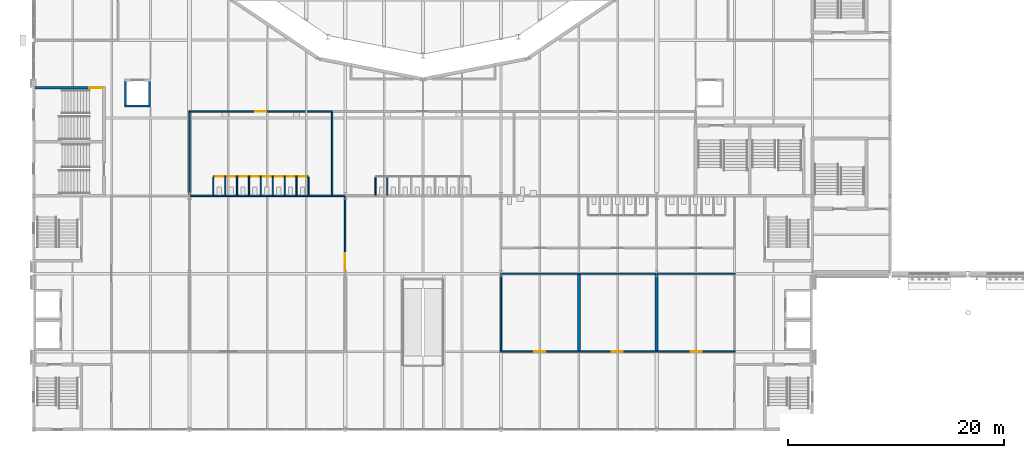
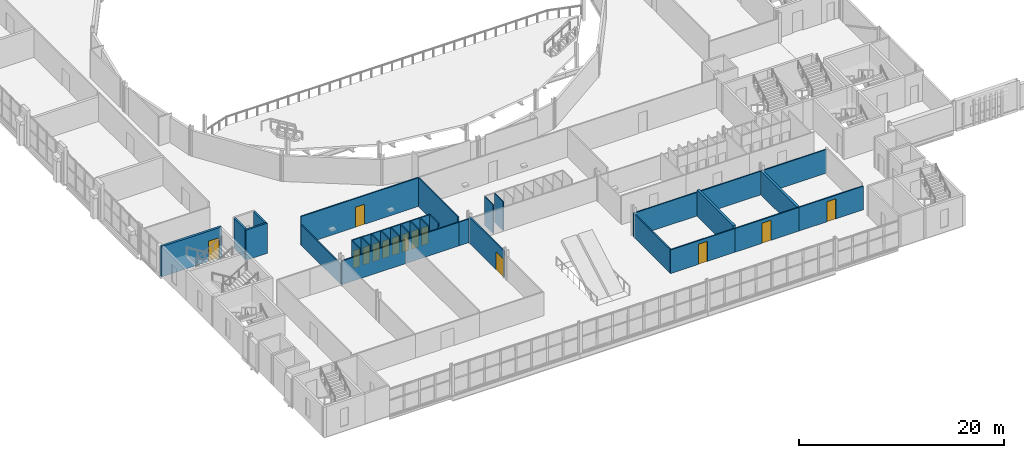
# One storey, part 64 of 124: 39 walls, 14 doors, 14 openings.
"""IFC4 building model written with IfcOpenShell, lengths in metres."""

import ifcopenshell
import ifcopenshell.guid

model = None  # the IFC model being written
_history = None  # IfcOwnerHistory: only IFC2X3 demands one
_inside = {}  # id of a spatial element -> (the spatial element, [elements in it])
_under = {}  # id of a project, library or spatial element -> (it, [spatial elements below it])
_declared = {}  # id of a project -> (the project, [libraries it declares])
_typed = {}  # id of a type object -> (the type object, [elements of that type])
_made_of = {}  # id of a material, layer set ... -> (it, [elements and type objects made of it])


def new_model(schema):
    """Start an empty IFC model of exactly this schema.

    Asked for "IFC4X3", IfcOpenShell would pick the latest addendum, in which some entities
    have other attributes; the version numbers below select the first issue.
    IFC2X3 requires an IfcOwnerHistory on every rooted entity: one is made here for all.
    """
    global model, _history
    if schema == "IFC4X3":
        model = ifcopenshell.file(schema_version=(4, 3, 0, 0))
    else:
        model = ifcopenshell.file(schema=schema)
    _inside.clear()
    _under.clear()
    _declared.clear()
    _typed.clear()
    _made_of.clear()
    _history = None
    if model.schema == "IFC2X3":
        org = make("IfcOrganization", Name="unknown")
        user = make(
            "IfcPersonAndOrganization",
            ThePerson=make("IfcPerson", FamilyName="unknown"),
            TheOrganization=org,
        )
        app = make(
            "IfcApplication",
            ApplicationDeveloper=org,
            Version="unknown",
            ApplicationFullName="unknown",
            ApplicationIdentifier="unknown",
        )
        _history = make(
            "IfcOwnerHistory",
            OwningUser=user,
            OwningApplication=app,
            ChangeAction="ADDED",
            CreationDate=0,
        )
    return model


def make(cls, **values):
    """One entity of the class cls with the attributes given. An attribute that is None is left unset."""
    return model.create_entity(
        cls, **{name: value for name, value in values.items() if value is not None}
    )


def rooted(cls, **values):
    """An entity with a GlobalId (a new one), such as an element, a storey or a relation."""
    return make(cls, GlobalId=ifcopenshell.guid.new(), OwnerHistory=_history, **values)


def si_unit(unit_type, name, prefix=None):
    """IfcSIUnit, for example si_unit("LENGTHUNIT", "METRE", prefix="MILLI")."""
    return make("IfcSIUnit", UnitType=unit_type, Prefix=prefix, Name=name)


def assignment(units):
    """IfcUnitAssignment: the units of a project."""
    return None if units is None else make("IfcUnitAssignment", Units=units)


def point(xyz):
    """IfcCartesianPoint."""
    return None if xyz is None else make("IfcCartesianPoint", Coordinates=xyz)


def direction(xyz):
    """IfcDirection."""
    return None if xyz is None else make("IfcDirection", DirectionRatios=xyz)


def frame(location, z_axis=None, x_axis=None):
    """IfcAxis2Placement3D, a coordinate frame: its origin and axes. An axis left out is left unset."""
    return make(
        "IfcAxis2Placement3D",
        Location=point(location),
        Axis=direction(z_axis),
        RefDirection=direction(x_axis),
    )


def frame_2d(location, x_axis=None):
    """IfcAxis2Placement2D, a coordinate frame in the plane: its origin and x axis."""
    return make(
        "IfcAxis2Placement2D", Location=point(location), RefDirection=direction(x_axis)
    )


def origin():
    """The frame at (0, 0, 0) with its axes left unset."""
    return frame((0.0, 0.0, 0.0))


def place(relative_to, where):
    """IfcLocalPlacement: puts the frame where relative to a parent placement (None: the world)."""
    return make(
        "IfcLocalPlacement", PlacementRelTo=relative_to, RelativePlacement=where
    )


def context(
    kind, dimensions, precision=None, world=None, true_north=None, identifier=None
):
    """IfcGeometricRepresentationContext, for example the 3D "Model" context."""
    return make(
        "IfcGeometricRepresentationContext",
        ContextIdentifier=identifier,
        ContextType=kind,
        CoordinateSpaceDimension=dimensions,
        Precision=precision,
        WorldCoordinateSystem=world,
        TrueNorth=true_north,
    )


def subcontext(parent, identifier, kind, view, scale=None):
    """IfcGeometricRepresentationSubContext, for example "Body" below "Model"."""
    return make(
        "IfcGeometricRepresentationSubContext",
        ContextIdentifier=identifier,
        ContextType=kind,
        ParentContext=parent,
        TargetScale=scale,
        TargetView=view,
    )


def project(units=None, contexts=None):
    """IfcProject with its units and contexts."""
    return rooted(
        "IfcProject",
        Name="project",
        RepresentationContexts=contexts,
        UnitsInContext=assignment(units),
    )


def spatial(cls, under=None, at=None, **own):
    """A site, building, storey or space (cls), placed at a placement, below another one or the project."""
    s = rooted(cls, ObjectPlacement=at, **own)
    if under is not None:
        _under.setdefault(under.id(), (under, []))[1].append(s)
    return s


def profile(cls, at=None, kind="AREA", **sizes):
    """A parametric profile (cls). Its sizes go by their IFC names, for example OverallWidth=200.0."""
    return make(cls, ProfileType=kind, Position=at, **sizes)


def rectangle(**sizes):
    """IfcRectangleProfileDef."""
    return profile("IfcRectangleProfileDef", **sizes)


def extrude(swept, where, along, depth):
    """IfcExtrudedAreaSolid: the profile swept, set in the frame where, extruded along a direction by depth."""
    return make(
        "IfcExtrudedAreaSolid",
        SweptArea=swept,
        Position=where,
        ExtrudedDirection=direction(along),
        Depth=depth,
    )


def shape(context_of_items, identifier, shape_type, items):
    """IfcShapeRepresentation: the items that make up one representation, for example the "Body"."""
    return make(
        "IfcShapeRepresentation",
        ContextOfItems=context_of_items,
        RepresentationIdentifier=identifier,
        RepresentationType=shape_type,
        Items=items,
    )


def material(Name=None, Category=None):
    """IfcMaterial."""
    return make("IfcMaterial", Name=Name, Category=Category)


def layer(
    of_material, thickness, ventilated=None, Name=None, Category=None, Priority=None
):
    """IfcMaterialLayer: one layer of a wall or slab, of a material (None: an air gap)."""
    return make(
        "IfcMaterialLayer",
        Material=of_material,
        LayerThickness=thickness,
        IsVentilated=ventilated,
        Name=Name,
        Category=Category,
        Priority=Priority,
    )


def layer_set(layers, Name=None):
    """IfcMaterialLayerSet."""
    return make("IfcMaterialLayerSet", MaterialLayers=layers, LayerSetName=Name)


def made_of(thing, what):
    """Note that an element or type object is made of a material, layer set ...; save() writes the relation."""
    if what is not None:
        _made_of.setdefault(what.id(), (what, []))[1].append(thing)
    return thing


def type_object(cls, material=None, **own):
    """A type object (cls), such as IfcWallType, which elements share."""
    return made_of(rooted(cls, **own), material)


def element(
    cls,
    number,
    at=None,
    inside=None,
    cuts=None,
    type_object=None,
    material=None,
    context=None,
    identifier="Body",
    shape_type=None,
    held_by="IfcProductDefinitionShape",
    body=None,
    shapes=None,
    **own,
):
    """One element of the class cls, such as IfcWall. Its Tag is "e" and its number.

    at: its placement. inside: the storey or other place that contains it. cuts: it is an
    opening in that element (IfcRelVoidsElement). A single representation is given by context,
    identifier, shape_type and body (its items); several are given by shapes. held_by: the class
    of the entity that holds the representations. save() writes the other relations.
    """
    e = rooted(cls, Tag="e%d" % number, ObjectPlacement=at, **own)
    if body is not None:
        shapes = [shape(context, identifier, shape_type, body)]
    if shapes is not None:
        e.Representation = make(held_by, Representations=shapes)
    if inside is not None:
        _inside.setdefault(inside.id(), (inside, []))[1].append(e)
    if cuts is not None:
        rooted(
            "IfcRelVoidsElement", RelatingBuildingElement=cuts, RelatedOpeningElement=e
        )
    if type_object is not None:
        _typed.setdefault(type_object.id(), (type_object, []))[1].append(e)
    return made_of(e, material)


def fill(opening, filler):
    """IfcRelFillsElement: the door or window that sits in an opening."""
    return rooted(
        "IfcRelFillsElement",
        RelatingOpeningElement=opening,
        RelatedBuildingElement=filler,
    )


def aggregate(whole, parts):
    """IfcRelAggregates: a whole, such as a stair, and the parts it consists of."""
    return rooted("IfcRelAggregates", RelatingObject=whole, RelatedObjects=parts)


def save(model, path):
    """Write the relations noted so far, then the file.

    IfcRelAggregates (storeys below a building ...), IfcRelContainedInSpatialStructure (elements
    in a storey), IfcRelDefinesByType, IfcRelAssociatesMaterial and IfcRelDeclares: one each for
    every whole, place, type object, material and project.
    """
    for whole, parts in _under.values():
        aggregate(whole, parts)
    for where, things in _inside.values():
        rooted(
            "IfcRelContainedInSpatialStructure",
            RelatedElements=things,
            RelatingStructure=where,
        )
    for kind, things in _typed.values():
        rooted("IfcRelDefinesByType", RelatedObjects=things, RelatingType=kind)
    for what, things in _made_of.values():
        rooted("IfcRelAssociatesMaterial", RelatedObjects=things, RelatingMaterial=what)
    for by, libraries in _declared.values():
        rooted("IfcRelDeclares", RelatingContext=by, RelatedDefinitions=libraries)
    model.write(path)


model = new_model("IFC4")

# Units and contexts
model_context = context("Model", 3, precision=1e-05, world=origin(), true_north=direction((0.0, 1.0)))
body_context = subcontext(model_context, "Body", "Model", "MODEL_VIEW")
ifc_project = project(units=[si_unit("LENGTHUNIT", "METRE"), si_unit("AREAUNIT", "SQUARE_METRE"), si_unit("VOLUMEUNIT", "CUBIC_METRE"), si_unit("PLANEANGLEUNIT", "RADIAN"), si_unit("MASSUNIT", "GRAM", prefix="KILO")], contexts=[model_context])

# Site, building, storey
site_placement = place(None, origin())
site = spatial("IfcSite", under=ifc_project, at=site_placement, CompositionType="ELEMENT")
building_placement = place(site_placement, origin())
building = spatial("IfcBuilding", under=site, at=building_placement, Name="Kupolbacken Congress Centre", CompositionType="ELEMENT")
storey_placement = place(building_placement, frame((0.0, 0.0, 10.800048828125)))
storey = spatial("IfcBuildingStorey", under=building, at=storey_placement, Name="L03", CompositionType="ELEMENT", Elevation=10.800048828125)

# Wall, opening, door
ifc_material_1 = material(Name="Gypsum board", Category="drywall")
ifc_layer_1 = layer(ifc_material_1, 0.114990234375)
ifc_layer_set_1 = layer_set([ifc_layer_1], Name="Gypsum board")
wall_type_1 = type_object("IfcWallType", Name="P04 partition 115", PredefinedType="PARTITIONING", material=ifc_layer_set_1)
wall_1_placement = place(storey_placement, frame((23.800048828125, 52.199951171875, 0.0), z_axis=(0.0, 0.0, 1.0), x_axis=(1.0, 0.0, 0.0)))
wall_1 = element("IfcWall", 1, at=wall_1_placement, inside=storey, type_object=wall_type_1, Name="PD/L03/P-31-13/cub01/F", PredefinedType="PARTITIONING", context=body_context, shape_type="SweptSolid", body=[
    extrude(rectangle(XDim=1.099853515625, YDim=0.114990234375, at=frame_2d((0.5498046875, 0.0))), origin(), (0.0, 0.0, 1.0), 3.419921875),
])
opening_1_placement = place(wall_1_placement, frame((0.14990234375, 0.0, 0.0)))
opening_1 = element("IfcOpeningElement", 2, at=opening_1_placement, cuts=wall_1, Name="Opening 3.WP79", PredefinedType="OPENING", context=body_context, shape_type="SweptSolid", body=[
    extrude(rectangle(XDim=0.800048828125, YDim=2.10009765625, at=frame_2d((0.39990234375, 1.050048828125))), frame((0.0, 0.0673828125, 0.0), z_axis=(0.0, -1.0, 0.0), x_axis=(1.0, 0.0, 0.0)), (0.0, 0.0, 1.0), 0.135009765625),
])
ifc_material_2 = material(Name="Timber door leaf", Category="wood")
door_type_1 = type_object("IfcDoorType", Name="D2 door 800x2100", OperationType="SINGLE_SWING_LEFT", PredefinedType="DOOR", material=ifc_material_2)
door_1_placement = place(opening_1_placement, origin())
door_1 = element("IfcDoor", 3, at=door_1_placement, inside=storey, type_object=door_type_1, Name="PD/L03/P-31-13/cub01/F/DC", OperationType="SINGLE_SWING_RIGHT", OverallHeight=2.10009765625, OverallWidth=0.800048828125, PredefinedType="DOOR", context=body_context, shape_type="SweptSolid", body=[
    extrude(rectangle(XDim=0.800048828125, YDim=2.10009765625, at=frame_2d((0.39990234375, 1.050048828125))), frame((0.0, 0.02490234375, 0.0), z_axis=(0.0, -1.0, 0.0), x_axis=(1.0, 0.0, 0.0)), (0.0, 0.0, 1.0), 0.050048828125),
])
fill(opening_1, door_1)

# Wall
wall_2_placement = place(storey_placement, frame((23.800048828125, 50.45751953125, 0.0), z_axis=(0.0, 0.0, 1.0), x_axis=(0.0, 1.0, 0.0)))
element("IfcWall", 4, at=wall_2_placement, inside=storey, type_object=wall_type_1, Name="PD/L03/P-31-13/cub01/a", PredefinedType="PARTITIONING", context=body_context, shape_type="SweptSolid", body=[
    extrude(rectangle(XDim=1.68505859375, YDim=0.114990234375, at=frame_2d((0.842529296875, 0.0))), origin(), (0.0, 0.0, 1.0), 3.419921875),
])

# Wall, opening, door
wall_3_placement = place(storey_placement, frame((24.89990234375, 52.199951171875, 0.0), z_axis=(0.0, 0.0, 1.0), x_axis=(1.0, 0.0, 0.0)))
wall_3 = element("IfcWall", 5, at=wall_3_placement, inside=storey, type_object=wall_type_1, Name="PD/L03/P-31-13/cub02/F", PredefinedType="PARTITIONING", context=body_context, shape_type="SweptSolid", body=[
    extrude(rectangle(XDim=1.10009765625, YDim=0.114990234375, at=frame_2d((0.550048828125, 0.0))), origin(), (0.0, 0.0, 1.0), 3.419921875),
])
opening_2_placement = place(wall_3_placement, frame((0.14990234375, 0.0, 0.0)))
opening_2 = element("IfcOpeningElement", 6, at=opening_2_placement, cuts=wall_3, Name="Opening 3.WP80", PredefinedType="OPENING", context=body_context, shape_type="SweptSolid", body=[
    extrude(rectangle(XDim=0.800048828125, YDim=2.10009765625, at=frame_2d((0.39990234375, 1.050048828125))), frame((0.0, 0.0673828125, 0.0), z_axis=(0.0, -1.0, 0.0), x_axis=(1.0, 0.0, 0.0)), (0.0, 0.0, 1.0), 0.135009765625),
])
door_2_placement = place(opening_2_placement, origin())
door_2 = element("IfcDoor", 7, at=door_2_placement, inside=storey, type_object=door_type_1, Name="PD/L03/P-31-13/cub02/F/DC", OperationType="SINGLE_SWING_RIGHT", OverallHeight=2.10009765625, OverallWidth=0.800048828125, PredefinedType="DOOR", context=body_context, shape_type="SweptSolid", body=[
    extrude(rectangle(XDim=0.800048828125, YDim=2.10009765625, at=frame_2d((0.39990234375, 1.050048828125))), frame((0.0, 0.02490234375, 0.0), z_axis=(0.0, -1.0, 0.0), x_axis=(1.0, 0.0, 0.0)), (0.0, 0.0, 1.0), 0.050048828125),
])
fill(opening_2, door_2)

# Wall
wall_4_placement = place(storey_placement, frame((24.89990234375, 50.45751953125, 0.0), z_axis=(0.0, 0.0, 1.0), x_axis=(0.0, 1.0, 0.0)))
element("IfcWall", 8, at=wall_4_placement, inside=storey, type_object=wall_type_1, Name="PD/L03/P-31-13/cub02/a", PredefinedType="PARTITIONING", context=body_context, shape_type="SweptSolid", body=[
    extrude(rectangle(XDim=1.68505859375, YDim=0.114990234375, at=frame_2d((0.842529296875, 0.0))), origin(), (0.0, 0.0, 1.0), 3.419921875),
])

# Wall, opening, door
wall_5_placement = place(storey_placement, frame((26.0, 52.199951171875, 0.0), z_axis=(0.0, 0.0, 1.0), x_axis=(1.0, 0.0, 0.0)))
wall_5 = element("IfcWall", 9, at=wall_5_placement, inside=storey, type_object=wall_type_1, Name="PD/L03/P-31-13/cub03/F", PredefinedType="PARTITIONING", context=body_context, shape_type="SweptSolid", body=[
    extrude(rectangle(XDim=1.10009765625, YDim=0.114990234375, at=frame_2d((0.550048828125, 0.0))), origin(), (0.0, 0.0, 1.0), 3.419921875),
])
opening_3_placement = place(wall_5_placement, frame((0.14990234375, 0.0, 0.0)))
opening_3 = element("IfcOpeningElement", 10, at=opening_3_placement, cuts=wall_5, Name="Opening 3.WP81", PredefinedType="OPENING", context=body_context, shape_type="SweptSolid", body=[
    extrude(rectangle(XDim=0.800048828125, YDim=2.10009765625, at=frame_2d((0.39990234375, 1.050048828125))), frame((0.0, 0.0673828125, 0.0), z_axis=(0.0, -1.0, 0.0), x_axis=(1.0, 0.0, 0.0)), (0.0, 0.0, 1.0), 0.135009765625),
])
door_3_placement = place(opening_3_placement, origin())
door_3 = element("IfcDoor", 11, at=door_3_placement, inside=storey, type_object=door_type_1, Name="PD/L03/P-31-13/cub03/F/DC", OperationType="SINGLE_SWING_LEFT", OverallHeight=2.10009765625, OverallWidth=0.800048828125, PredefinedType="DOOR", context=body_context, shape_type="SweptSolid", body=[
    extrude(rectangle(XDim=0.800048828125, YDim=2.10009765625, at=frame_2d((0.39990234375, 1.050048828125))), frame((0.0, 0.02490234375, 0.0), z_axis=(0.0, -1.0, 0.0), x_axis=(1.0, 0.0, 0.0)), (0.0, 0.0, 1.0), 0.050048828125),
])
fill(opening_3, door_3)

# Wall
wall_6_placement = place(storey_placement, frame((26.0, 50.45751953125, 0.0), z_axis=(0.0, 0.0, 1.0), x_axis=(0.0, 1.0, 0.0)))
element("IfcWall", 12, at=wall_6_placement, inside=storey, type_object=wall_type_1, Name="PD/L03/P-31-13/cub03/a", PredefinedType="PARTITIONING", context=body_context, shape_type="SweptSolid", body=[
    extrude(rectangle(XDim=1.68505859375, YDim=0.114990234375, at=frame_2d((0.842529296875, 0.0))), origin(), (0.0, 0.0, 1.0), 3.419921875),
])

# Wall, opening, door
wall_7_placement = place(storey_placement, frame((27.10009765625, 52.199951171875, 0.0), z_axis=(0.0, 0.0, 1.0), x_axis=(1.0, 0.0, 0.0)))
wall_7 = element("IfcWall", 13, at=wall_7_placement, inside=storey, type_object=wall_type_1, Name="PD/L03/P-31-13/cub04/F", PredefinedType="PARTITIONING", context=body_context, shape_type="SweptSolid", body=[
    extrude(rectangle(XDim=1.099853515625, YDim=0.114990234375, at=frame_2d((0.5498046875, 0.0))), origin(), (0.0, 0.0, 1.0), 3.419921875),
])
opening_4_placement = place(wall_7_placement, frame((0.14990234375, 0.0, 0.0)))
opening_4 = element("IfcOpeningElement", 14, at=opening_4_placement, cuts=wall_7, Name="Opening 3.WP82", PredefinedType="OPENING", context=body_context, shape_type="SweptSolid", body=[
    extrude(rectangle(XDim=0.800048828125, YDim=2.10009765625, at=frame_2d((0.39990234375, 1.050048828125))), frame((0.0, 0.0673828125, 0.0), z_axis=(0.0, -1.0, 0.0), x_axis=(1.0, 0.0, 0.0)), (0.0, 0.0, 1.0), 0.135009765625),
])
door_4_placement = place(opening_4_placement, origin())
door_4 = element("IfcDoor", 15, at=door_4_placement, inside=storey, type_object=door_type_1, Name="PD/L03/P-31-13/cub04/F/DC", OperationType="SINGLE_SWING_RIGHT", OverallHeight=2.10009765625, OverallWidth=0.800048828125, PredefinedType="DOOR", context=body_context, shape_type="SweptSolid", body=[
    extrude(rectangle(XDim=0.800048828125, YDim=2.10009765625, at=frame_2d((0.39990234375, 1.050048828125))), frame((0.0, 0.02490234375, 0.0), z_axis=(0.0, -1.0, 0.0), x_axis=(1.0, 0.0, 0.0)), (0.0, 0.0, 1.0), 0.050048828125),
])
fill(opening_4, door_4)

# Wall
wall_8_placement = place(storey_placement, frame((27.10009765625, 50.45751953125, 0.0), z_axis=(0.0, 0.0, 1.0), x_axis=(0.0, 1.0, 0.0)))
element("IfcWall", 16, at=wall_8_placement, inside=storey, type_object=wall_type_1, Name="PD/L03/P-31-13/cub04/a", PredefinedType="PARTITIONING", context=body_context, shape_type="SweptSolid", body=[
    extrude(rectangle(XDim=1.68505859375, YDim=0.114990234375, at=frame_2d((0.842529296875, 0.0))), origin(), (0.0, 0.0, 1.0), 3.419921875),
])

# Wall, opening, door
wall_9_placement = place(storey_placement, frame((28.199951171875, 52.199951171875, 0.0), z_axis=(0.0, 0.0, 1.0), x_axis=(1.0, 0.0, 0.0)))
wall_9 = element("IfcWall", 17, at=wall_9_placement, inside=storey, type_object=wall_type_1, Name="PD/L03/P-31-13/cub05/F", PredefinedType="PARTITIONING", context=body_context, shape_type="SweptSolid", body=[
    extrude(rectangle(XDim=1.10009765625, YDim=0.114990234375, at=frame_2d((0.550048828125, 0.0))), origin(), (0.0, 0.0, 1.0), 3.419921875),
])
opening_5_placement = place(wall_9_placement, frame((0.14990234375, 0.0, 0.0)))
opening_5 = element("IfcOpeningElement", 18, at=opening_5_placement, cuts=wall_9, Name="Opening 3.WP83", PredefinedType="OPENING", context=body_context, shape_type="SweptSolid", body=[
    extrude(rectangle(XDim=0.800048828125, YDim=2.10009765625, at=frame_2d((0.39990234375, 1.050048828125))), frame((0.0, 0.0673828125, 0.0), z_axis=(0.0, -1.0, 0.0), x_axis=(1.0, 0.0, 0.0)), (0.0, 0.0, 1.0), 0.135009765625),
])
door_5_placement = place(opening_5_placement, origin())
door_5 = element("IfcDoor", 19, at=door_5_placement, inside=storey, type_object=door_type_1, Name="PD/L03/P-31-13/cub05/F/DC", OperationType="SINGLE_SWING_LEFT", OverallHeight=2.10009765625, OverallWidth=0.800048828125, PredefinedType="DOOR", context=body_context, shape_type="SweptSolid", body=[
    extrude(rectangle(XDim=0.800048828125, YDim=2.10009765625, at=frame_2d((0.39990234375, 1.050048828125))), frame((0.0, 0.02490234375, 0.0), z_axis=(0.0, -1.0, 0.0), x_axis=(1.0, 0.0, 0.0)), (0.0, 0.0, 1.0), 0.050048828125),
])
fill(opening_5, door_5)

# Wall
wall_10_placement = place(storey_placement, frame((28.199951171875, 50.45751953125, 0.0), z_axis=(0.0, 0.0, 1.0), x_axis=(0.0, 1.0, 0.0)))
element("IfcWall", 20, at=wall_10_placement, inside=storey, type_object=wall_type_1, Name="PD/L03/P-31-13/cub05/a", PredefinedType="PARTITIONING", context=body_context, shape_type="SweptSolid", body=[
    extrude(rectangle(XDim=1.68505859375, YDim=0.114990234375, at=frame_2d((0.842529296875, 0.0))), origin(), (0.0, 0.0, 1.0), 3.419921875),
])

# Wall, opening, door
wall_11_placement = place(storey_placement, frame((29.300048828125, 52.199951171875, 0.0), z_axis=(0.0, 0.0, 1.0), x_axis=(1.0, 0.0, 0.0)))
wall_11 = element("IfcWall", 21, at=wall_11_placement, inside=storey, type_object=wall_type_1, Name="PD/L03/P-31-13/cub06/F", PredefinedType="PARTITIONING", context=body_context, shape_type="SweptSolid", body=[
    extrude(rectangle(XDim=1.099853515625, YDim=0.114990234375, at=frame_2d((0.5498046875, 0.0))), origin(), (0.0, 0.0, 1.0), 3.419921875),
])
opening_6_placement = place(wall_11_placement, frame((0.14990234375, 0.0, 0.0)))
opening_6 = element("IfcOpeningElement", 22, at=opening_6_placement, cuts=wall_11, Name="Opening 3.WP84", PredefinedType="OPENING", context=body_context, shape_type="SweptSolid", body=[
    extrude(rectangle(XDim=0.800048828125, YDim=2.10009765625, at=frame_2d((0.39990234375, 1.050048828125))), frame((0.0, 0.0673828125, 0.0), z_axis=(0.0, -1.0, 0.0), x_axis=(1.0, 0.0, 0.0)), (0.0, 0.0, 1.0), 0.135009765625),
])
door_6_placement = place(opening_6_placement, origin())
door_6 = element("IfcDoor", 23, at=door_6_placement, inside=storey, type_object=door_type_1, Name="PD/L03/P-31-13/cub06/F/DC", OperationType="SINGLE_SWING_LEFT", OverallHeight=2.10009765625, OverallWidth=0.800048828125, PredefinedType="DOOR", context=body_context, shape_type="SweptSolid", body=[
    extrude(rectangle(XDim=0.800048828125, YDim=2.10009765625, at=frame_2d((0.39990234375, 1.050048828125))), frame((0.0, 0.02490234375, 0.0), z_axis=(0.0, -1.0, 0.0), x_axis=(1.0, 0.0, 0.0)), (0.0, 0.0, 1.0), 0.050048828125),
])
fill(opening_6, door_6)

# Wall
wall_12_placement = place(storey_placement, frame((29.300048828125, 50.45751953125, 0.0), z_axis=(0.0, 0.0, 1.0), x_axis=(0.0, 1.0, 0.0)))
element("IfcWall", 24, at=wall_12_placement, inside=storey, type_object=wall_type_1, Name="PD/L03/P-31-13/cub06/a", PredefinedType="PARTITIONING", context=body_context, shape_type="SweptSolid", body=[
    extrude(rectangle(XDim=1.68505859375, YDim=0.114990234375, at=frame_2d((0.842529296875, 0.0))), origin(), (0.0, 0.0, 1.0), 3.419921875),
])

# Wall, opening, door
wall_13_placement = place(storey_placement, frame((30.39990234375, 52.199951171875, 0.0), z_axis=(0.0, 0.0, 1.0), x_axis=(1.0, 0.0, 0.0)))
wall_13 = element("IfcWall", 25, at=wall_13_placement, inside=storey, type_object=wall_type_1, Name="PD/L03/P-31-13/cub07/F", PredefinedType="PARTITIONING", context=body_context, shape_type="SweptSolid", body=[
    extrude(rectangle(XDim=1.10009765625, YDim=0.114990234375, at=frame_2d((0.550048828125, 0.0))), origin(), (0.0, 0.0, 1.0), 3.419921875),
])
opening_7_placement = place(wall_13_placement, frame((0.14990234375, 0.0, 0.0)))
opening_7 = element("IfcOpeningElement", 26, at=opening_7_placement, cuts=wall_13, Name="Opening 3.WP85", PredefinedType="OPENING", context=body_context, shape_type="SweptSolid", body=[
    extrude(rectangle(XDim=0.800048828125, YDim=2.10009765625, at=frame_2d((0.39990234375, 1.050048828125))), frame((0.0, 0.0673828125, 0.0), z_axis=(0.0, -1.0, 0.0), x_axis=(1.0, 0.0, 0.0)), (0.0, 0.0, 1.0), 0.135009765625),
])
door_7_placement = place(opening_7_placement, origin())
door_7 = element("IfcDoor", 27, at=door_7_placement, inside=storey, type_object=door_type_1, Name="PD/L03/P-31-13/cub07/F/DC", OperationType="SINGLE_SWING_LEFT", OverallHeight=2.10009765625, OverallWidth=0.800048828125, PredefinedType="DOOR", context=body_context, shape_type="SweptSolid", body=[
    extrude(rectangle(XDim=0.800048828125, YDim=2.10009765625, at=frame_2d((0.39990234375, 1.050048828125))), frame((0.0, 0.02490234375, 0.0), z_axis=(0.0, -1.0, 0.0), x_axis=(1.0, 0.0, 0.0)), (0.0, 0.0, 1.0), 0.050048828125),
])
fill(opening_7, door_7)

# Wall
wall_14_placement = place(storey_placement, frame((30.39990234375, 50.45751953125, 0.0), z_axis=(0.0, 0.0, 1.0), x_axis=(0.0, 1.0, 0.0)))
element("IfcWall", 28, at=wall_14_placement, inside=storey, type_object=wall_type_1, Name="PD/L03/P-31-13/cub07/a", PredefinedType="PARTITIONING", context=body_context, shape_type="SweptSolid", body=[
    extrude(rectangle(XDim=1.68505859375, YDim=0.114990234375, at=frame_2d((0.842529296875, 0.0))), origin(), (0.0, 0.0, 1.0), 3.419921875),
])

# Wall, opening, door
wall_15_placement = place(storey_placement, frame((31.5, 52.199951171875, 0.0), z_axis=(0.0, 0.0, 1.0), x_axis=(1.0, 0.0, 0.0)))
wall_15 = element("IfcWall", 29, at=wall_15_placement, inside=storey, type_object=wall_type_1, Name="PD/L03/P-31-13/cub08/F", PredefinedType="PARTITIONING", context=body_context, shape_type="SweptSolid", body=[
    extrude(rectangle(XDim=1.10009765625, YDim=0.114990234375, at=frame_2d((0.550048828125, 0.0))), origin(), (0.0, 0.0, 1.0), 3.419921875),
])
opening_8_placement = place(wall_15_placement, frame((0.14990234375, 0.0, 0.0)))
opening_8 = element("IfcOpeningElement", 30, at=opening_8_placement, cuts=wall_15, Name="Opening 3.WP86", PredefinedType="OPENING", context=body_context, shape_type="SweptSolid", body=[
    extrude(rectangle(XDim=0.800048828125, YDim=2.10009765625, at=frame_2d((0.39990234375, 1.050048828125))), frame((0.0, 0.0673828125, 0.0), z_axis=(0.0, -1.0, 0.0), x_axis=(1.0, 0.0, 0.0)), (0.0, 0.0, 1.0), 0.135009765625),
])
door_8_placement = place(opening_8_placement, origin())
door_8 = element("IfcDoor", 31, at=door_8_placement, inside=storey, type_object=door_type_1, Name="PD/L03/P-31-13/cub08/F/DC", OperationType="SINGLE_SWING_LEFT", OverallHeight=2.10009765625, OverallWidth=0.800048828125, PredefinedType="DOOR", context=body_context, shape_type="SweptSolid", body=[
    extrude(rectangle(XDim=0.800048828125, YDim=2.10009765625, at=frame_2d((0.39990234375, 1.050048828125))), frame((0.0, 0.02490234375, 0.0), z_axis=(0.0, -1.0, 0.0), x_axis=(1.0, 0.0, 0.0)), (0.0, 0.0, 1.0), 0.050048828125),
])
fill(opening_8, door_8)

# Walls
for number, where, z_axis, x_axis, name in (
    (32, (31.5, 50.45751953125, 0.0), (0.0, 0.0, 1.0), (0.0, 1.0, 0.0), "PD/L03/P-31-13/cub08/a"),
    (33, (32.60009765625, 50.45751953125, 0.0), (0.0, 0.0, 1.0), (0.0, 1.0, 0.0), "PD/L03/P-31-13/cub08/b"),
    (34, (38.800048828125, 50.45751953125, 0.0), (0.0, 0.0, 1.0), (0.0, 1.0, 0.0), "PD/L03/P-32-14/cub01/a"),
    (35, (39.89990234375, 50.45751953125, 0.0), (0.0, 0.0, 1.0), (0.0, 1.0, 0.0), "PD/L03/P-32-14/cub02/a"),
):
    element("IfcWall", number, at=place(storey_placement, frame(where, z_axis=z_axis, x_axis=x_axis)), inside=storey, type_object=wall_type_1, Name=name, PredefinedType="PARTITIONING", context=body_context, shape_type="SweptSolid", body=[
        extrude(rectangle(XDim=1.68505859375, YDim=0.114990234375, at=frame_2d((0.842529296875, 0.0))), origin(), (0.0, 0.0, 1.0), 3.419921875),
    ])

# Wall, opening, door
ifc_material_3 = material(Name="Gypsum board", Category="drywall")
ifc_layer_2 = layer(ifc_material_3, 0.135009765625)
ifc_layer_set_2 = layer_set([ifc_layer_2], Name="Gypsum board")
wall_type_2 = type_object("IfcWallType", Name="P06 compartment wall 135", PredefinedType="PARTITIONING", material=ifc_layer_set_2)
wall_16_placement = place(storey_placement, frame((50.33251953125, 36.0, 0.0), z_axis=(0.0, 0.0, 1.0), x_axis=(1.0, 0.0, 0.0)))
wall_16 = element("IfcWall", 36, at=wall_16_placement, inside=storey, type_object=wall_type_2, Name="PD/L03/W022", PredefinedType="PARTITIONING", context=body_context, shape_type="SweptSolid", body=[
    extrude(rectangle(XDim=7.267578125, YDim=0.135009765625, at=frame_2d((3.6337890625, 0.0))), origin(), (0.0, 0.0, 1.0), 2.820068359375),
])
opening_9_placement = place(wall_16_placement, frame((3.14990234375, 0.0, 0.0)))
opening_9 = element("IfcOpeningElement", 37, at=opening_9_placement, cuts=wall_16, Name="Opening 3.F10", PredefinedType="OPENING", context=body_context, shape_type="SweptSolid", body=[
    extrude(rectangle(XDim=1.0, YDim=2.39990234375, at=frame_2d((0.5, 1.199951171875))), frame((0.0, 0.077392578125, 0.0), z_axis=(0.0, -1.0, 0.0), x_axis=(1.0, 0.0, 0.0)), (0.0, 0.0, 1.0), 0.155029296875),
])
ifc_material_4 = material(Name="Steel fire door leaf", Category="steel")
door_type_2 = type_object("IfcDoorType", Name="D8 fire door 1000x2400", OperationType="SINGLE_SWING_LEFT", PredefinedType="DOOR", material=ifc_material_4)
door_9_placement = place(opening_9_placement, origin())
door_9 = element("IfcDoor", 38, at=door_9_placement, inside=storey, type_object=door_type_2, Name="PD/L03/W022/D3F10", OperationType="SINGLE_SWING_LEFT", OverallHeight=2.39990234375, OverallWidth=1.0, PredefinedType="DOOR", context=body_context, shape_type="SweptSolid", body=[
    extrude(rectangle(XDim=1.0, YDim=2.39990234375, at=frame_2d((0.5, 1.199951171875))), frame((0.0, 0.02490234375, 0.0), z_axis=(0.0, -1.0, 0.0), x_axis=(1.0, 0.0, 0.0)), (0.0, 0.0, 1.0), 0.050048828125),
])
fill(opening_9, door_9)

wall_17_placement = place(storey_placement, frame((57.60009765625, 36.0, 0.0), z_axis=(0.0, 0.0, 1.0), x_axis=(1.0, 0.0, 0.0)))
wall_17 = element("IfcWall", 39, at=wall_17_placement, inside=storey, type_object=wall_type_2, Name="PD/L03/W023", PredefinedType="PARTITIONING", context=body_context, shape_type="SweptSolid", body=[
    extrude(rectangle(XDim=7.199951171875, YDim=0.135009765625, at=frame_2d((3.60009765625, 0.0))), origin(), (0.0, 0.0, 1.0), 2.820068359375),
])
opening_10_placement = place(wall_17_placement, frame((3.050048828125, 0.0, 0.0)))
opening_10 = element("IfcOpeningElement", 40, at=opening_10_placement, cuts=wall_17, Name="Opening 3.F11", PredefinedType="OPENING", context=body_context, shape_type="SweptSolid", body=[
    extrude(rectangle(XDim=1.0, YDim=2.39990234375, at=frame_2d((0.5, 1.199951171875))), frame((0.0, 0.077392578125, 0.0), z_axis=(0.0, -1.0, 0.0), x_axis=(1.0, 0.0, 0.0)), (0.0, 0.0, 1.0), 0.155029296875),
])
door_10_placement = place(opening_10_placement, origin())
door_10 = element("IfcDoor", 41, at=door_10_placement, inside=storey, type_object=door_type_2, Name="PD/L03/W023/D3F11", OperationType="SINGLE_SWING_RIGHT", OverallHeight=2.39990234375, OverallWidth=1.0, PredefinedType="DOOR", context=body_context, shape_type="SweptSolid", body=[
    extrude(rectangle(XDim=1.0, YDim=2.39990234375, at=frame_2d((0.5, 1.199951171875))), frame((0.0, 0.02490234375, 0.0), z_axis=(0.0, -1.0, 0.0), x_axis=(1.0, 0.0, 0.0)), (0.0, 0.0, 1.0), 0.050048828125),
])
fill(opening_10, door_10)

wall_18_placement = place(storey_placement, frame((64.800048828125, 36.0, 0.0), z_axis=(0.0, 0.0, 1.0), x_axis=(1.0, 0.0, 0.0)))
wall_18 = element("IfcWall", 42, at=wall_18_placement, inside=storey, type_object=wall_type_2, Name="PD/L03/W024", PredefinedType="PARTITIONING", context=body_context, shape_type="SweptSolid", body=[
    extrude(rectangle(XDim=7.267333984375, YDim=0.135009765625, at=frame_2d((3.6337890625, 0.0))), origin(), (0.0, 0.0, 1.0), 2.820068359375),
])
opening_11_placement = place(wall_18_placement, frame((3.14990234375, 0.0, 0.0)))
opening_11 = element("IfcOpeningElement", 43, at=opening_11_placement, cuts=wall_18, Name="Opening 3.F12", PredefinedType="OPENING", context=body_context, shape_type="SweptSolid", body=[
    extrude(rectangle(XDim=1.0, YDim=2.39990234375, at=frame_2d((0.5, 1.199951171875))), frame((0.0, 0.077392578125, 0.0), z_axis=(0.0, -1.0, 0.0), x_axis=(1.0, 0.0, 0.0)), (0.0, 0.0, 1.0), 0.155029296875),
])
door_11_placement = place(opening_11_placement, origin())
door_11 = element("IfcDoor", 44, at=door_11_placement, inside=storey, type_object=door_type_2, Name="PD/L03/W024/D3F12", OperationType="SINGLE_SWING_LEFT", OverallHeight=2.39990234375, OverallWidth=1.0, PredefinedType="DOOR", context=body_context, shape_type="SweptSolid", body=[
    extrude(rectangle(XDim=1.0, YDim=2.39990234375, at=frame_2d((0.5, 1.199951171875))), frame((0.0, 0.02490234375, 0.0), z_axis=(0.0, -1.0, 0.0), x_axis=(1.0, 0.0, 0.0)), (0.0, 0.0, 1.0), 0.050048828125),
])
fill(opening_11, door_11)

# Wall
wall_19_placement = place(storey_placement, frame((21.60009765625, 50.39990234375, 0.0), z_axis=(0.0, 0.0, 1.0), x_axis=(1.0, 0.0, 0.0)))
element("IfcWall", 45, at=wall_19_placement, inside=storey, type_object=wall_type_2, Name="PD/L03/W028", PredefinedType="PARTITIONING", context=body_context, shape_type="SweptSolid", body=[
    extrude(rectangle(XDim=7.199951171875, YDim=0.135009765625, at=frame_2d((3.60009765625, 0.0))), origin(), (0.0, 0.0, 1.0), 2.820068359375),
])

# Wall, opening, door
wall_20_placement = place(storey_placement, frame((36.0, 50.33251953125, 0.0), z_axis=(0.0, 0.0, 1.0), x_axis=(0.0, -1.0, 0.0)))
wall_20 = element("IfcWall", 46, at=wall_20_placement, inside=storey, type_object=wall_type_2, Name="PD/L03/W029", PredefinedType="PARTITIONING", context=body_context, shape_type="SweptSolid", body=[
    extrude(rectangle(XDim=6.83251953125, YDim=0.135009765625, at=frame_2d((3.416259765625, 0.0))), origin(), (0.0, 0.0, 1.0), 3.119873046875),
])
opening_12_placement = place(wall_20_placement, frame((5.25, 0.0, 0.0)))
opening_12 = element("IfcOpeningElement", 47, at=opening_12_placement, cuts=wall_20, Name="Opening 3.F09", PredefinedType="OPENING", context=body_context, shape_type="SweptSolid", body=[
    extrude(rectangle(XDim=1.5, YDim=2.10009765625, at=frame_2d((0.75, 1.050048828125))), frame((0.0, 0.077392578125, 0.0), z_axis=(0.0, -1.0, 0.0), x_axis=(1.0, 0.0, 0.0)), (0.0, 0.0, 1.0), 0.155029296875),
])
ifc_material_5 = material(Name="Steel fire door leaf", Category="steel")
door_type_3 = type_object("IfcDoorType", Name="D12 fire door 1500x2100", OperationType="DOUBLE_DOOR_SINGLE_SWING", PredefinedType="DOOR", material=ifc_material_5)
door_12_placement = place(opening_12_placement, origin())
door_12 = element("IfcDoor", 48, at=door_12_placement, inside=storey, type_object=door_type_3, Name="PD/L03/W029/D3F09", OperationType="DOUBLE_DOOR_SINGLE_SWING", OverallHeight=2.10009765625, OverallWidth=1.5, PredefinedType="DOOR", context=body_context, shape_type="SweptSolid", body=[
    extrude(rectangle(XDim=1.5, YDim=2.10009765625, at=frame_2d((0.75, 1.050048828125))), frame((0.0, 0.02490234375, 0.0), z_axis=(0.0, -1.0, 0.0), x_axis=(1.0, 0.0, 0.0)), (0.0, 0.0, 1.0), 0.050048828125),
])
fill(opening_12, door_12)

# Walls
wall_21_placement = place(storey_placement, frame((28.800048828125, 50.39990234375, 0.0), z_axis=(0.0, 0.0, 1.0), x_axis=(1.0, 0.0, 0.0)))
element("IfcWall", 49, at=wall_21_placement, inside=storey, type_object=wall_type_2, Name="PD/L03/W030", PredefinedType="PARTITIONING", context=body_context, shape_type="SweptSolid", body=[
    extrude(rectangle(XDim=6.0, YDim=0.135009765625, at=frame_2d((3.0, 0.0))), origin(), (0.0, 0.0, 1.0), 2.820068359375),
])
wall_22_placement = place(storey_placement, frame((34.800048828125, 50.39990234375, 0.0), z_axis=(0.0, 0.0, 1.0), x_axis=(1.0, 0.0, 0.0)))
element("IfcWall", 50, at=wall_22_placement, inside=storey, type_object=wall_type_2, Name="PD/L03/W031", PredefinedType="PARTITIONING", context=body_context, shape_type="SweptSolid", body=[
    extrude(rectangle(XDim=1.199951171875, YDim=0.135009765625, at=frame_2d((0.60009765625, 0.0))), origin(), (0.0, 0.0, 1.0), 2.820068359375),
])
wall_23_placement = place(storey_placement, frame((50.39990234375, 43.132568359375, 0.0), z_axis=(0.0, 0.0, 1.0), x_axis=(0.0, -1.0, 0.0)))
element("IfcWall", 51, at=wall_23_placement, inside=storey, type_object=wall_type_2, Name="PD/L03/W032", PredefinedType="PARTITIONING", context=body_context, shape_type="SweptSolid", body=[
    extrude(rectangle(XDim=7.065185546875, YDim=0.135009765625, at=frame_2d((3.53271484375, 0.0))), origin(), (0.0, 0.0, 1.0), 2.820068359375),
])
wall_24_placement = place(storey_placement, frame((50.33251953125, 43.199951171875, 0.0), z_axis=(0.0, 0.0, 1.0), x_axis=(1.0, 0.0, 0.0)))
element("IfcWall", 52, at=wall_24_placement, inside=storey, type_object=wall_type_2, Name="PD/L03/W036", PredefinedType="PARTITIONING", context=body_context, shape_type="SweptSolid", body=[
    extrude(rectangle(XDim=7.267578125, YDim=0.135009765625, at=frame_2d((3.6337890625, 0.0))), origin(), (0.0, 0.0, 1.0), 2.820068359375),
])
wall_25_placement = place(storey_placement, frame((57.60009765625, 43.199951171875, 0.0), z_axis=(0.0, 0.0, 1.0), x_axis=(1.0, 0.0, 0.0)))
element("IfcWall", 53, at=wall_25_placement, inside=storey, type_object=wall_type_2, Name="PD/L03/W038", PredefinedType="PARTITIONING", context=body_context, shape_type="SweptSolid", body=[
    extrude(rectangle(XDim=7.199951171875, YDim=0.135009765625, at=frame_2d((3.60009765625, 0.0))), origin(), (0.0, 0.0, 1.0), 2.820068359375),
])
wall_26_placement = place(storey_placement, frame((64.800048828125, 43.199951171875, 0.0), z_axis=(0.0, 0.0, 1.0), x_axis=(1.0, 0.0, 0.0)))
element("IfcWall", 54, at=wall_26_placement, inside=storey, type_object=wall_type_2, Name="PD/L03/W039", PredefinedType="PARTITIONING", context=body_context, shape_type="SweptSolid", body=[
    extrude(rectangle(XDim=7.267333984375, YDim=0.135009765625, at=frame_2d((3.6337890625, 0.0))), origin(), (0.0, 0.0, 1.0), 2.820068359375),
])
wall_27_placement = place(storey_placement, frame((34.800048828125, 58.132568359375, 0.0), z_axis=(0.0, 0.0, 1.0), x_axis=(0.0, -1.0, 0.0)))
element("IfcWall", 55, at=wall_27_placement, inside=storey, type_object=wall_type_2, Name="PD/L03/W074", PredefinedType="PARTITIONING", context=body_context, shape_type="SweptSolid", body=[
    extrude(rectangle(XDim=7.6650390625, YDim=0.135009765625, at=frame_2d((3.83251953125, 0.0))), origin(), (0.0, 0.0, 1.0), 3.419921875),
])
wall_28_placement = place(storey_placement, frame((21.60009765625, 50.467529296875, 0.0), z_axis=(0.0, 0.0, 1.0), x_axis=(0.0, 1.0, 0.0)))
element("IfcWall", 56, at=wall_28_placement, inside=storey, type_object=wall_type_2, Name="PD/L03/W075", PredefinedType="PARTITIONING", context=body_context, shape_type="SweptSolid", body=[
    extrude(rectangle(XDim=7.6650390625, YDim=0.135009765625, at=frame_2d((3.83251953125, 0.0))), origin(), (0.0, 0.0, 1.0), 2.419921875),
])

# Wall, opening, door
wall_29_placement = place(storey_placement, frame((21.532470703125, 58.199951171875, 0.0), z_axis=(0.0, 0.0, 1.0), x_axis=(1.0, 0.0, 0.0)))
wall_29 = element("IfcWall", 57, at=wall_29_placement, inside=storey, type_object=wall_type_2, Name="PD/L03/W076", PredefinedType="PARTITIONING", context=body_context, shape_type="SweptSolid", body=[
    extrude(rectangle(XDim=13.267578125, YDim=0.135009765625, at=frame_2d((6.6337890625, 0.0))), origin(), (0.0, 0.0, 1.0), 3.419921875),
])
opening_13_placement = place(wall_29_placement, frame((6.14990234375, 0.0, 0.0)))
opening_13 = element("IfcOpeningElement", 58, at=opening_13_placement, cuts=wall_29, Name="Opening 3.P19", PredefinedType="OPENING", context=body_context, shape_type="SweptSolid", body=[
    extrude(rectangle(XDim=1.0, YDim=2.39990234375, at=frame_2d((0.5, 1.199951171875))), frame((0.0, 0.077392578125, 0.0), z_axis=(0.0, -1.0, 0.0), x_axis=(1.0, 0.0, 0.0)), (0.0, 0.0, 1.0), 0.155029296875),
])
door_13_placement = place(opening_13_placement, frame((1.0, 0.0, 0.0), z_axis=(0.0, 0.0, 1.0), x_axis=(-1.0, 0.0, 0.0)))
door_13 = element("IfcDoor", 59, at=door_13_placement, inside=storey, type_object=door_type_2, Name="PD/L03/W076/D3P19", OperationType="SINGLE_SWING_LEFT", OverallHeight=2.39990234375, OverallWidth=1.0, PredefinedType="DOOR", context=body_context, shape_type="SweptSolid", body=[
    extrude(rectangle(XDim=1.0, YDim=2.39990234375, at=frame_2d((0.5, 1.199951171875))), frame((0.0, 0.02490234375, 0.0), z_axis=(0.0, -1.0, 0.0), x_axis=(1.0, 0.0, 0.0)), (0.0, 0.0, 1.0), 0.050048828125),
])
fill(opening_13, door_13)

# Walls
ifc_material_6 = material(Name="Gypsum board", Category="drywall")
ifc_layer_3 = layer(ifc_material_6, 0.27490234375)
ifc_layer_set_3 = layer_set([ifc_layer_3], Name="Gypsum board")
wall_type_3 = type_object("IfcWallType", Name="P12 partition 275", PredefinedType="PARTITIONING", material=ifc_layer_set_3)
wall_30_placement = place(storey_placement, frame((57.60009765625, 43.132568359375, 0.0), z_axis=(0.0, 0.0, 1.0), x_axis=(0.0, -1.0, 0.0)))
element("IfcWall", 60, at=wall_30_placement, inside=storey, type_object=wall_type_3, Name="PD/L03/W035", PredefinedType="PARTITIONING", context=body_context, shape_type="SweptSolid", body=[
    extrude(rectangle(XDim=7.065185546875, YDim=0.27490234375, at=frame_2d((3.53271484375, 0.0))), origin(), (0.0, 0.0, 1.0), 3.119873046875),
])
wall_31_placement = place(storey_placement, frame((64.800048828125, 43.132568359375, 0.0), z_axis=(0.0, 0.0, 1.0), x_axis=(0.0, -1.0, 0.0)))
element("IfcWall", 61, at=wall_31_placement, inside=storey, type_object=wall_type_3, Name="PD/L03/W037", PredefinedType="PARTITIONING", context=body_context, shape_type="SweptSolid", body=[
    extrude(rectangle(XDim=7.065185546875, YDim=0.27490234375, at=frame_2d((3.53271484375, 0.0))), origin(), (0.0, 0.0, 1.0), 2.820068359375),
])
ifc_material_7 = material(Name="Concrete C40/50", Category="concrete")
ifc_layer_4 = layer(ifc_material_7, 0.199951171875)
ifc_layer_set_4 = layer_set([ifc_layer_4], Name="Concrete C40/50")
wall_type_4 = type_object("IfcWallType", Name="WC1 RC shaft wall 200", PredefinedType="SHEAR", material=ifc_layer_set_4)
wall_32_placement = place(storey_placement, frame((15.60009765625, 58.699951171875, 0.0), z_axis=(0.0, 0.0, 1.0), x_axis=(1.0, 0.0, 0.0)))
element("IfcWall", 62, at=wall_32_placement, inside=storey, type_object=wall_type_4, Name="Shaft wall LP5", PredefinedType="SHEAR", context=body_context, shape_type="SweptSolid", body=[
    extrude(rectangle(XDim=2.39990234375, YDim=0.199951171875, at=frame_2d((1.199951171875, 0.0))), origin(), (0.0, 0.0, 1.0), 3.599853515625),
])
for number, where, z_axis, x_axis, name in (
    (63, (15.699951171875, 58.800048828125, 0.0), (0.0, 0.0, 1.0), (0.0, 1.0, 0.0), "Shaft wall LP5"),
    (64, (17.89990234375, 58.800048828125, 0.0), (0.0, 0.0, 1.0), (0.0, 1.0, 0.0), "Shaft wall LP5"),
):
    element("IfcWall", number, at=place(storey_placement, frame(where, z_axis=z_axis, x_axis=x_axis)), inside=storey, type_object=wall_type_4, Name=name, PredefinedType="SHEAR", context=body_context, shape_type="SweptSolid", body=[
        extrude(rectangle(XDim=2.199951171875, YDim=0.199951171875, at=frame_2d((1.10009765625, 0.0))), origin(), (0.0, 0.0, 1.0), 3.599853515625),
    ])

# Wall, opening, door
ifc_material_8 = material(Name="Concrete C40/50", Category="concrete")
ifc_layer_5 = layer(ifc_material_8, 0.25)
ifc_layer_set_5 = layer_set([ifc_layer_5], Name="Concrete C40/50")
wall_type_5 = type_object("IfcWallType", Name="WC2 RC stair enclosure wall 250", PredefinedType="SHEAR", material=ifc_layer_set_5)
wall_33_placement = place(storey_placement, frame((13.824951171875, 60.39990234375, 0.0), z_axis=(0.0, 0.0, 1.0), x_axis=(-1.0, 0.0, 0.0)))
wall_33 = element("IfcWall", 65, at=wall_33_placement, inside=storey, type_object=wall_type_5, Name="Stair enclosure wall L03-044", PredefinedType="SHEAR", context=body_context, shape_type="SweptSolid", body=[
    extrude(rectangle(XDim=6.75, YDim=0.25, at=frame_2d((3.375, 0.0))), origin(), (0.0, 0.0, 1.0), 3.599853515625),
])
opening_14_placement = place(wall_33_placement, frame((0.27490234375, 0.0, 0.0)))
opening_14 = element("IfcOpeningElement", 66, at=opening_14_placement, cuts=wall_33, Name="Opening 3.P02", PredefinedType="OPENING", context=body_context, shape_type="SweptSolid", body=[
    extrude(rectangle(XDim=1.199951171875, YDim=2.39990234375, at=frame_2d((0.60009765625, 1.199951171875))), frame((0.0, 0.135009765625, 0.0), z_axis=(0.0, -1.0, 0.0), x_axis=(1.0, 0.0, 0.0)), (0.0, 0.0, 1.0), 0.27001953125),
])
ifc_material_9 = material(Name="Steel fire door leaf", Category="steel")
door_type_4 = type_object("IfcDoorType", Name="D9 fire door 1200x2400", OperationType="SINGLE_SWING_LEFT", PredefinedType="DOOR", material=ifc_material_9)
door_14_placement = place(opening_14_placement, origin())
door_14 = element("IfcDoor", 67, at=door_14_placement, inside=storey, type_object=door_type_4, Name="S/core/L03/044/D3P02", OperationType="SINGLE_SWING_RIGHT", OverallHeight=2.39990234375, OverallWidth=1.199951171875, PredefinedType="DOOR", context=body_context, shape_type="SweptSolid", body=[
    extrude(rectangle(XDim=1.199951171875, YDim=2.39990234375, at=frame_2d((0.60009765625, 1.199951171875))), frame((0.0, 0.02490234375, 0.0), z_axis=(0.0, -1.0, 0.0), x_axis=(1.0, 0.0, 0.0)), (0.0, 0.0, 1.0), 0.050048828125),
])
fill(opening_14, door_14)

save(model, "model.ifc")
